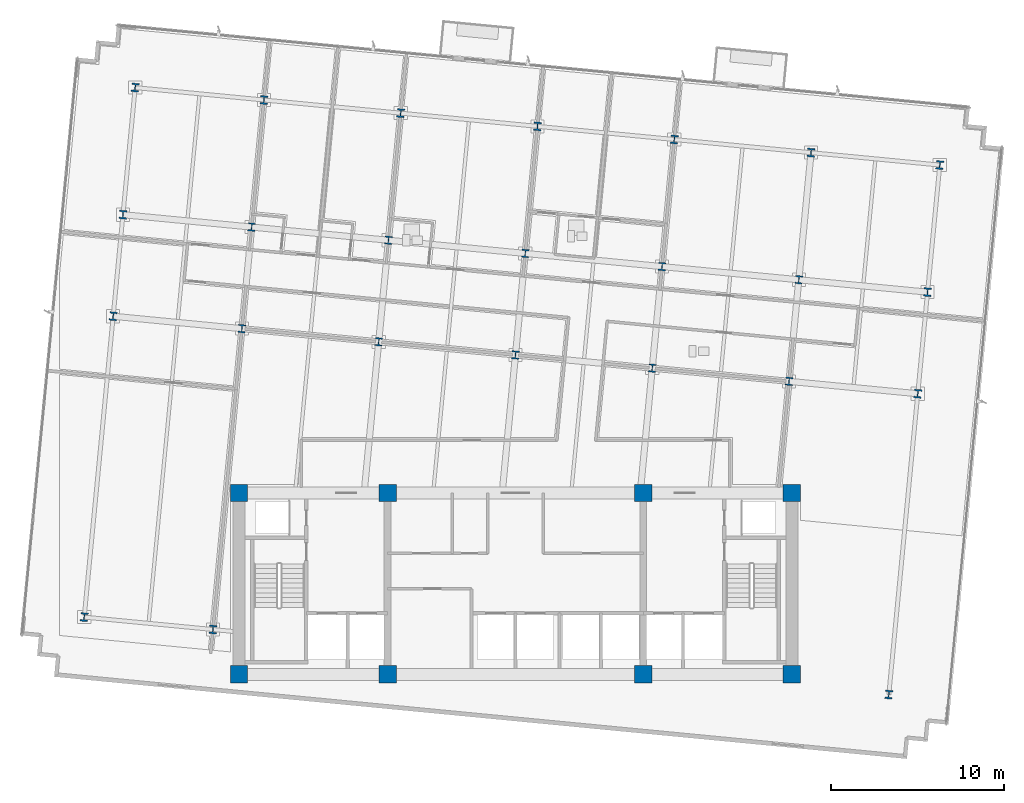
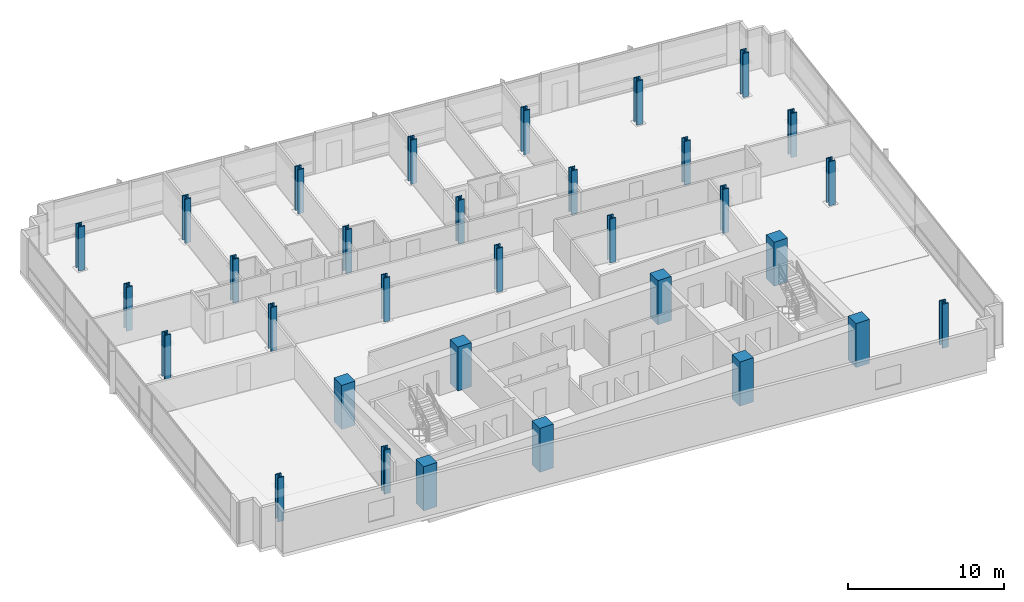
# One storey, part 1 of 17: 32 columns.
"""IFC4 building model written with IfcOpenShell, lengths in metres."""

from ifc_helpers import new_model, si_unit, direction, frame, origin, origin_2d, place, context, subcontext, project, spatial, rectangle, i_section, extrude, material, material_profile, profile_set, type_object, element, save


model = new_model("IFC4")

# Units and contexts
model_context = context("Model", 3, precision=1e-05, world=origin(), true_north=direction((0.0, 1.0)))
body_context = subcontext(model_context, "Body", "Model", "MODEL_VIEW")
ifc_project = project(units=[si_unit("LENGTHUNIT", "METRE"), si_unit("AREAUNIT", "SQUARE_METRE"), si_unit("VOLUMEUNIT", "CUBIC_METRE"), si_unit("PLANEANGLEUNIT", "RADIAN"), si_unit("MASSUNIT", "GRAM", prefix="KILO")], contexts=[model_context])

# Site, building, storey
site_placement = place(None, origin())
site = spatial("IfcSite", under=ifc_project, at=site_placement, CompositionType="ELEMENT")
building_placement = place(site_placement, origin())
building = spatial("IfcBuilding", under=site, at=building_placement, Name="Solmavex Isthmus Hotel", CompositionType="ELEMENT")
storey_placement = place(building_placement, frame((0.0, 0.0, 156.60009765625)))
storey = spatial("IfcBuildingStorey", under=building, at=storey_placement, Name="L42", CompositionType="ELEMENT", Elevation=156.60009765625)

# Columns
ifc_material_1 = material(Name="Concrete C60/75", Category="concrete")
ifc_material_profile_1 = material_profile(ifc_material_1, rectangle(XDim=1.0, YDim=1.0, at=origin_2d()), Name="RC1000X1000")
ifc_profile_set_1 = profile_set([ifc_material_profile_1], Name="Concrete C60/75")
column_type_1 = type_object("IfcColumnType", Name="COL-CC-1000", PredefinedType="COLUMN", material=ifc_profile_set_1)
for number, where, z_axis, x_axis, name in (
    (1, (-16.0, -13.0, 0.0), (0.0, 0.0, 1.0), (1.0, 0.0, 0.0), "Core Pilaster CC-SW L42"),
    (2, (-7.39990234375, -13.0, 0.0), (0.0, 0.0, 1.0), (1.0, 0.0, 0.0), "Core Pilaster CC-S1 L42"),
    (3, (7.39990234375, -13.0, 0.0), (0.0, 0.0, 1.0), (1.0, 0.0, 0.0), "Core Pilaster CC-S2 L42"),
    (4, (16.0, -13.0, 0.0), (0.0, 0.0, 1.0), (1.0, 0.0, 0.0), "Core Pilaster CC-SE L42"),
    (5, (-16.0, -2.5, 0.0), (0.0, 0.0, 1.0), (1.0, 0.0, 0.0), "Core Pilaster CC-NW L42"),
    (6, (-7.39990234375, -2.5, 0.0), (0.0, 0.0, 1.0), (1.0, 0.0, 0.0), "Core Pilaster CC-N1 L42"),
    (7, (7.39990234375, -2.5, 0.0), (0.0, 0.0, 1.0), (1.0, 0.0, 0.0), "Core Pilaster CC-N2 L42"),
    (8, (16.0, -2.5, 0.0), (0.0, 0.0, 1.0), (1.0, 0.0, 0.0), "Core Pilaster CC-NE L42"),
):
    element("IfcColumn", number, at=place(storey_placement, frame(where, z_axis=z_axis, x_axis=x_axis)), inside=storey, type_object=column_type_1, Name=name, PredefinedType="COLUMN", context=body_context, shape_type="SweptSolid", body=[
        extrude(rectangle(XDim=1.0, YDim=1.0, at=origin_2d()), origin(), (0.0, 0.0, 1.0), 3.449951171875),
    ])
ifc_material_2 = material(Name="Steel ASTM A913 Grade 65", Category="steel")
ifc_material_profile_2 = material_profile(ifc_material_2, i_section(OverallWidth=0.424072265625, OverallDepth=0.47412109375, WebThickness=0.047607421875, FlangeThickness=0.0771484375, FilletRadius=0.030517578125, at=origin_2d()), Name="W14X426")
ifc_profile_set_2 = profile_set([ifc_material_profile_2], Name="Steel ASTM A913 Grade 65")
column_type_2 = type_object("IfcColumnType", Name="COL-SC-W14X426", PredefinedType="COLUMN", material=ifc_profile_set_2)
for number, where, z_axis, x_axis, name in (
    (9, (-15.83740234375, 7.015380859375, 0.0), (0.0, 0.0, 1.0), (0.995396198367, -0.09584575252, 0.0), "Tower Column B3-U2V2 L42"),
    (10, (-15.271240234375, 12.896240234375, 0.0), (0.0, 0.0, 1.0), (0.995396198367, -0.09584575252, 0.0), "Tower Column B3-U2V3 L42"),
    (11, (-7.918212890625, 6.2529296875, 0.0), (0.0, 0.0, 1.0), (0.995396198367, -0.09584575252, 0.0), "Tower Column B3-U3V2 L42"),
    (12, (-7.351806640625, 12.1337890625, 0.0), (0.0, 0.0, 1.0), (0.995396198367, -0.09584575252, 0.0), "Tower Column B3-U3V3 L42"),
    (13, (0.001220703125, 5.490234375, 0.0), (0.0, 0.0, 1.0), (0.995396198367, -0.09584575252, 0.0), "Tower Column B3-U4V2 L42"),
    (14, (0.567626953125, 11.37109375, 0.0), (0.0, 0.0, 1.0), (0.995396198367, -0.09584575252, 0.0), "Tower Column B3-U4V3 L42"),
    (15, (7.920654296875, 4.727783203125, 0.0), (0.0, 0.0, 1.0), (0.995396198367, -0.09584575252, 0.0), "Tower Column B3-U5V2 L42"),
    (16, (8.48681640625, 10.608642578125, 0.0), (0.0, 0.0, 1.0), (0.995396198367, -0.09584575252, 0.0), "Tower Column B3-U5V3 L42"),
    (17, (15.840087890625, 3.96533203125, 0.0), (0.0, 0.0, 1.0), (0.995396198367, -0.09584575252, 0.0), "Tower Column B3-U6V2 L42"),
    (18, (16.40625, 9.845947265625, 0.0), (0.0, 0.0, 1.0), (0.995396198367, -0.09584575252, 0.0), "Tower Column B3-U6V3 L42"),
):
    element("IfcColumn", number, at=place(storey_placement, frame(where, z_axis=z_axis, x_axis=x_axis)), inside=storey, type_object=column_type_2, Name=name, PredefinedType="COLUMN", context=body_context, shape_type="SweptSolid", body=[
        extrude(i_section(OverallWidth=0.424072265625, OverallDepth=0.47412109375, WebThickness=0.047607421875, FlangeThickness=0.0771484375, FilletRadius=0.030517578125, at=origin_2d()), origin(), (0.0, 0.0, 1.0), 3.449951171875),
    ])
ifc_material_profile_3 = material_profile(ifc_material_2, i_section(OverallWidth=0.43212890625, OverallDepth=0.497802734375, WebThickness=0.0556640625, FlangeThickness=0.0888671875, FilletRadius=0.030517578125, at=origin_2d()), Name="W14X500")
ifc_profile_set_3 = profile_set([ifc_material_profile_3], Name="Steel ASTM A913 Grade 65")
column_type_3 = type_object("IfcColumnType", Name="COL-SC-W14X500", PredefinedType="COLUMN", material=ifc_profile_set_3)
for number, where, z_axis, x_axis, name in (
    (19, (-24.96826171875, -9.686279296875, 0.0), (0.0, 0.0, 1.0), (0.995396198367, -0.09584575252, 0.0), "Tower Column B3-U1V1 L42"),
    (20, (-23.291015625, 7.733154296875, 0.0), (0.0, 0.0, 1.0), (0.995396198367, -0.09584575252, 0.0), "Tower Column B3-U1V2 L42"),
    (21, (-22.724853515625, 13.614013671875, 0.0), (0.0, 0.0, 1.0), (0.995396198367, -0.09584575252, 0.0), "Tower Column B3-U1V3 L42"),
    (22, (-22.016357421875, 20.971923828125, 0.0), (0.0, 0.0, 1.0), (0.995396198367, -0.09584575252, 0.0), "Tower Column B3-U1V4 L42"),
    (23, (-17.5146484375, -10.404052734375, 0.0), (0.0, 0.0, 1.0), (0.995396198367, -0.09584575252, 0.0), "Tower Column B3-U2V1 L42"),
    (24, (-14.562744140625, 20.254150390625, 0.0), (0.0, 0.0, 1.0), (0.995396198367, -0.09584575252, 0.0), "Tower Column B3-U2V4 L42"),
    (25, (-6.643310546875, 19.49169921875, 0.0), (0.0, 0.0, 1.0), (0.995396198367, -0.09584575252, 0.0), "Tower Column B3-U3V4 L42"),
    (26, (1.276123046875, 18.72900390625, 0.0), (0.0, 0.0, 1.0), (0.995396198367, -0.09584575252, 0.0), "Tower Column B3-U4V4 L42"),
    (27, (9.1953125, 17.966552734375, 0.0), (0.0, 0.0, 1.0), (0.995396198367, -0.09584575252, 0.0), "Tower Column B3-U5V4 L42"),
    (28, (17.11474609375, 17.2041015625, 0.0), (0.0, 0.0, 1.0), (0.995396198367, -0.09584575252, 0.0), "Tower Column B3-U6V4 L42"),
    (29, (21.6162109375, -14.171875, 0.0), (0.0, 0.0, 1.0), (0.995396198367, -0.09584575252, 0.0), "Tower Column B3-U7V1 L42"),
    (30, (23.29345703125, 3.24755859375, 0.0), (0.0, 0.0, 1.0), (0.995396198367, -0.09584575252, 0.0), "Tower Column B3-U7V2 L42"),
    (31, (23.85986328125, 9.12841796875, 0.0), (0.0, 0.0, 1.0), (0.995396198367, -0.09584575252, 0.0), "Tower Column B3-U7V3 L42"),
    (32, (24.568359375, 16.486328125, 0.0), (0.0, 0.0, 1.0), (0.995396198367, -0.09584575252, 0.0), "Tower Column B3-U7V4 L42"),
):
    element("IfcColumn", number, at=place(storey_placement, frame(where, z_axis=z_axis, x_axis=x_axis)), inside=storey, type_object=column_type_3, Name=name, PredefinedType="COLUMN", context=body_context, shape_type="SweptSolid", body=[
        extrude(i_section(OverallWidth=0.43212890625, OverallDepth=0.497802734375, WebThickness=0.0556640625, FlangeThickness=0.0888671875, FilletRadius=0.030517578125, at=origin_2d()), origin(), (0.0, 0.0, 1.0), 3.449951171875),
    ])

save(model, "model.ifc")
